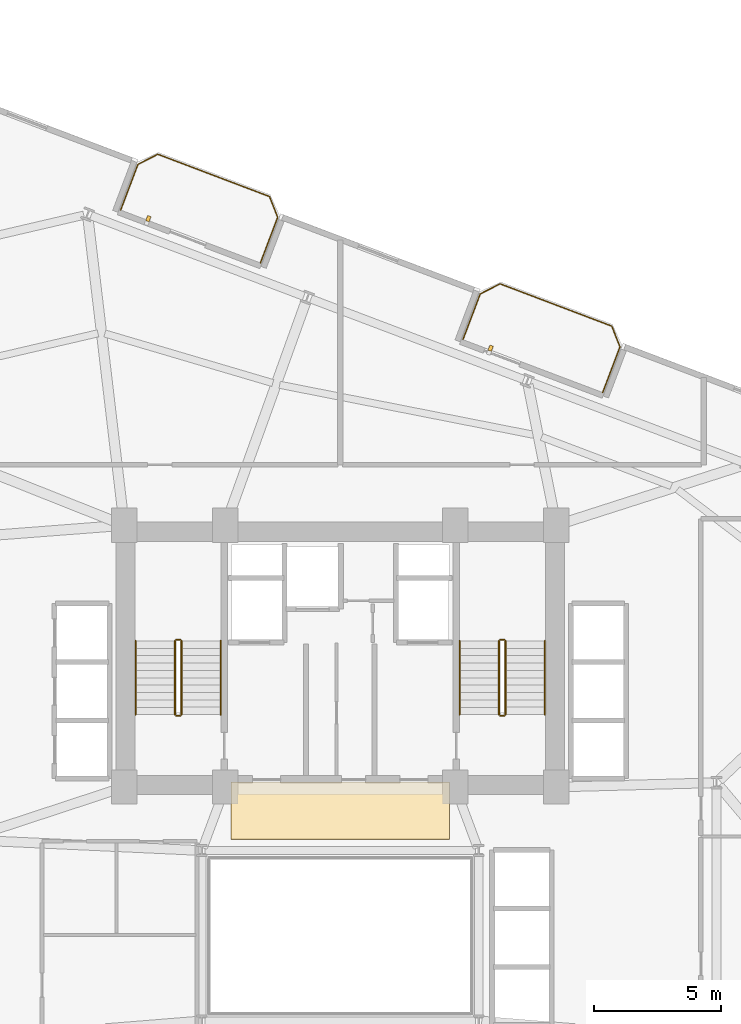
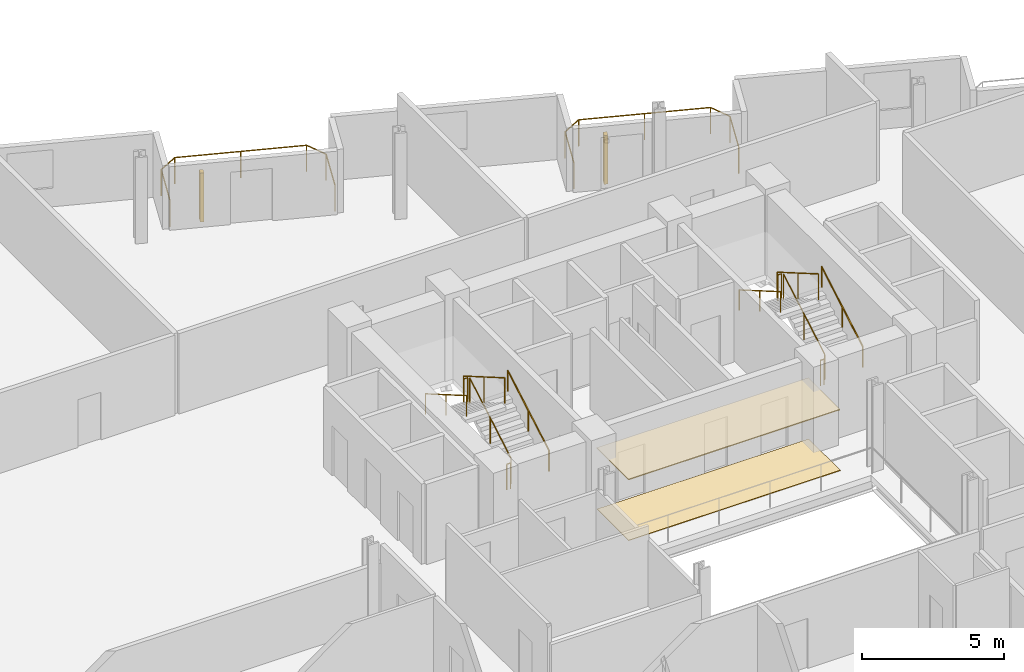
# One storey, part 24 of 25: 14 railings, 2 coverings, 2 shading devices.
"""IFC4 building model written with IfcOpenShell, lengths in metres."""

from ifc_helpers import new_model, si_unit, direction, frame, origin, origin_2d, place, context, subcontext, project, spatial, rectangle, circle, extrude, source, transform, mapped, material, layer, layer_set, type_object, element, save


model = new_model("IFC4")

# Units and contexts
model_context = context("Model", 3, precision=1e-05, world=origin(), true_north=direction((0.0, 1.0)))
body_context = subcontext(model_context, "Body", "Model", "MODEL_VIEW")
ifc_project = project(units=[si_unit("LENGTHUNIT", "METRE"), si_unit("AREAUNIT", "SQUARE_METRE"), si_unit("VOLUMEUNIT", "CUBIC_METRE"), si_unit("PLANEANGLEUNIT", "RADIAN"), si_unit("MASSUNIT", "GRAM", prefix="KILO")], contexts=[model_context])

# Site, building, storey
site_placement = place(None, origin())
site = spatial("IfcSite", under=ifc_project, at=site_placement, CompositionType="ELEMENT")
building_placement = place(site_placement, origin())
building = spatial("IfcBuilding", under=site, at=building_placement, Name="Varnelok Gate Tower", CompositionType="ELEMENT")
storey_placement = place(building_placement, frame((0.0, 0.0, 79.89990234375)))
storey = spatial("IfcBuildingStorey", under=building, at=storey_placement, Name="L19", CompositionType="ELEMENT", Elevation=79.89990234375)

# Railings
ifc_material_1 = material(Name="Low-E Laminated Double Glazing IGU", Category="glass")
railing_type_1 = type_object("IfcRailingType", Name="RL-BALC-1150", PredefinedType="BALUSTRADE", material=ifc_material_1)
railing_1_placement = place(storey_placement, frame((30.560302734375, 51.453125, 0.0)))
element("IfcRailing", 1, at=railing_1_placement, inside=storey, type_object=railing_type_1, Name="L19 North Terrace Balustrade 4", PredefinedType="BALUSTRADE", context=body_context, shape_type="SweptSolid", body=[
    extrude(circle(Radius=0.02392578125, at=origin_2d()), frame((0.0, 0.0, 1.1259765625), z_axis=(0.354006333352, 0.935243025073, 0.0), x_axis=(-0.935243025073, 0.354006333352, 0.0)), (0.0, 0.0, 1.0), 1.919921875),
    extrude(circle(Radius=0.02392578125, at=origin_2d()), frame((0.6796875, 1.795654296875, 1.1259765625), z_axis=(0.89078254773, 0.454429810487, 0.0), x_axis=(-0.454429810487, 0.89078254773, 0.0)), (0.0, 0.0, 1.0), 0.8779296875),
    extrude(circle(Radius=0.02392578125, at=origin_2d()), frame((1.461669921875, 2.194580078125, 1.1259765625), z_axis=(0.935223045203, -0.354059113314, 0.0), x_axis=(0.354059113314, 0.935223045203, 0.0)), (0.0, 0.0, 1.0), 4.699951171875),
    extrude(circle(Radius=0.02392578125, at=origin_2d()), frame((5.857177734375, 0.530517578125, 1.1259765625), z_axis=(0.366349384437, -0.930477365938, 0.0), x_axis=(0.930477365938, 0.366349384437, 0.0)), (0.0, 0.0, 1.0), 0.877685546875),
    extrude(circle(Radius=0.02392578125, at=origin_2d()), frame((6.1787109375, -0.2861328125, 1.1259765625), z_axis=(-0.354006333352, -0.935243025073, 0.0), x_axis=(0.935243025073, -0.354006333352, 0.0)), (0.0, 0.0, 1.0), 1.919921875),
    extrude(circle(Radius=0.02099609375, at=origin_2d()), origin(), (0.0, 0.0, 1.0), 1.101806640625),
    extrude(circle(Radius=0.02099609375, at=origin_2d()), frame((0.6796875, 1.795654296875, 0.0)), (0.0, 0.0, 1.0), 1.101806640625),
    extrude(circle(Radius=0.02099609375, at=origin_2d()), frame((1.461669921875, 2.194580078125, 0.0)), (0.0, 0.0, 1.0), 1.101806640625),
    extrude(circle(Radius=0.02099609375, at=origin_2d()), frame((3.659423828125, 1.362548828125, 0.0)), (0.0, 0.0, 1.0), 1.101806640625),
    extrude(circle(Radius=0.02099609375, at=origin_2d()), frame((5.857177734375, 0.530517578125, 0.0)), (0.0, 0.0, 1.0), 1.101806640625),
    extrude(circle(Radius=0.02099609375, at=origin_2d()), frame((6.1787109375, -0.2861328125, 0.0)), (0.0, 0.0, 1.0), 1.101806640625),
    extrude(circle(Radius=0.02099609375, at=origin_2d()), frame((5.4990234375, -2.081787109375, 0.0)), (0.0, 0.0, 1.0), 1.101806640625),
])
railing_2_placement = place(storey_placement, frame((44.02734375, 46.354736328125, 0.0)))
element("IfcRailing", 2, at=railing_2_placement, inside=storey, type_object=railing_type_1, Name="L19 North Terrace Balustrade 5", PredefinedType="BALUSTRADE", context=body_context, shape_type="SweptSolid", body=[
    extrude(circle(Radius=0.02392578125, at=origin_2d()), frame((0.0, 0.0, 1.1259765625), z_axis=(0.354117547856, 0.935200920819, 0.0), x_axis=(-0.935200920819, 0.354117547856, 0.0)), (0.0, 0.0, 1.0), 1.920166015625),
    extrude(circle(Radius=0.02392578125, at=origin_2d()), frame((0.679931640625, 1.795654296875, 1.1259765625), z_axis=(0.890725095116, 0.454542412686, 0.0), x_axis=(-0.454542412686, 0.890725095116, 0.0)), (0.0, 0.0, 1.0), 0.877685546875),
    extrude(circle(Radius=0.02392578125, at=origin_2d()), frame((1.461669921875, 2.194580078125, 1.1259765625), z_axis=(0.935223045203, -0.354059113314, 0.0), x_axis=(0.354059113314, 0.935223045203, 0.0)), (0.0, 0.0, 1.0), 4.699951171875),
    extrude(circle(Radius=0.02392578125, at=origin_2d()), frame((5.857177734375, 0.530517578125, 1.1259765625), z_axis=(0.366495340819, -0.93041988648, 0.0), x_axis=(0.93041988648, 0.366495340819, 0.0)), (0.0, 0.0, 1.0), 0.8779296875),
    extrude(circle(Radius=0.02392578125, at=origin_2d()), frame((6.178955078125, -0.286376953125, 1.1259765625), z_axis=(-0.354006333352, -0.935243025073, 0.0), x_axis=(0.935243025073, -0.354006333352, 0.0)), (0.0, 0.0, 1.0), 1.919921875),
    extrude(circle(Radius=0.02099609375, at=origin_2d()), origin(), (0.0, 0.0, 1.0), 1.101806640625),
    extrude(circle(Radius=0.02099609375, at=origin_2d()), frame((0.679931640625, 1.795654296875, 0.0)), (0.0, 0.0, 1.0), 1.101806640625),
    extrude(circle(Radius=0.02099609375, at=origin_2d()), frame((1.461669921875, 2.194580078125, 0.0)), (0.0, 0.0, 1.0), 1.101806640625),
    extrude(circle(Radius=0.02099609375, at=origin_2d()), frame((3.659423828125, 1.362548828125, 0.0)), (0.0, 0.0, 1.0), 1.101806640625),
    extrude(circle(Radius=0.02099609375, at=origin_2d()), frame((5.857177734375, 0.530517578125, 0.0)), (0.0, 0.0, 1.0), 1.101806640625),
    extrude(circle(Radius=0.02099609375, at=origin_2d()), frame((6.178955078125, -0.286376953125, 0.0)), (0.0, 0.0, 1.0), 1.101806640625),
    extrude(circle(Radius=0.02099609375, at=origin_2d()), frame((5.499267578125, -2.08203125, 0.0)), (0.0, 0.0, 1.0), 1.101806640625),
])
ifc_material_2 = material(Name="Brushed Stainless Steel AISI 316", Category="steel")
railing_type_2 = type_object("IfcRailingType", Name="RL-HANDRAIL-900", PredefinedType="HANDRAIL", material=ifc_material_2)
railing_3_placement = place(storey_placement, frame((34.5, 31.60009765625, 0.168212890625)))
element("IfcRailing", 3, at=railing_3_placement, inside=storey, type_object=railing_type_2, Name="L19 ST-1 stair handrail 1", PredefinedType="HANDRAIL", context=body_context, shape_type="SweptSolid", body=[
    extrude(circle(Radius=0.02392578125, at=origin_2d()), frame((0.0, 0.0, 0.8759765625), z_axis=(0.0, 0.865038774852, 0.501705010941), x_axis=(-1.0, 0.0, 0.0)), (0.0, 0.0, 1.0), 3.352294921875),
    extrude(circle(Radius=0.02099609375, at=origin_2d()), origin(), (0.0, 0.0, 1.0), 0.851806640625),
    extrude(circle(Radius=0.02099609375, at=origin_2d()), frame((0.0, 1.449951171875, 0.8408203125)), (0.0, 0.0, 1.0), 0.851806640625),
    extrude(circle(Radius=0.02099609375, at=origin_2d()), frame((0.0, 2.89990234375, 1.681884765625)), (0.0, 0.0, 1.0), 0.851806640625),
])
railing_4_placement = place(storey_placement, frame((31.14990234375, 34.5, 2.018310546875)))
element("IfcRailing", 4, at=railing_4_placement, inside=storey, type_object=railing_type_2, Name="L19 ST-1 stair handrail 2", PredefinedType="HANDRAIL", context=body_context, shape_type="SweptSolid", body=[
    extrude(circle(Radius=0.02392578125, at=origin_2d()), frame((0.0, 0.0, 0.8759765625), z_axis=(0.0, -0.865038774852, 0.501705010941), x_axis=(1.0, 0.0, 0.0)), (0.0, 0.0, 1.0), 3.352294921875),
    extrude(circle(Radius=0.02099609375, at=origin_2d()), origin(), (0.0, 0.0, 1.0), 0.851806640625),
    extrude(circle(Radius=0.02099609375, at=origin_2d()), frame((0.0, -1.449951171875, 0.8408203125)), (0.0, 0.0, 1.0), 0.851806640625),
    extrude(circle(Radius=0.02099609375, at=origin_2d()), frame((0.0, -2.89990234375, 1.681884765625)), (0.0, 0.0, 1.0), 0.851806640625),
])
railing_5_placement = place(storey_placement, frame((47.25, 31.60009765625, 0.168212890625)))
element("IfcRailing", 5, at=railing_5_placement, inside=storey, type_object=railing_type_2, Name="L19 ST-2 stair handrail 1", PredefinedType="HANDRAIL", context=body_context, shape_type="SweptSolid", body=[
    extrude(circle(Radius=0.02392578125, at=origin_2d()), frame((0.0, 0.0, 0.8759765625), z_axis=(0.0, 0.865038774852, 0.501705010941), x_axis=(-1.0, 0.0, 0.0)), (0.0, 0.0, 1.0), 3.352294921875),
    extrude(circle(Radius=0.02099609375, at=origin_2d()), origin(), (0.0, 0.0, 1.0), 0.851806640625),
    extrude(circle(Radius=0.02099609375, at=origin_2d()), frame((0.0, 1.449951171875, 0.8408203125)), (0.0, 0.0, 1.0), 0.851806640625),
    extrude(circle(Radius=0.02099609375, at=origin_2d()), frame((0.0, 2.89990234375, 1.681884765625)), (0.0, 0.0, 1.0), 0.851806640625),
])
railing_6_placement = place(storey_placement, frame((43.89990234375, 34.5, 2.018310546875)))
element("IfcRailing", 6, at=railing_6_placement, inside=storey, type_object=railing_type_2, Name="L19 ST-2 stair handrail 2", PredefinedType="HANDRAIL", context=body_context, shape_type="SweptSolid", body=[
    extrude(circle(Radius=0.02392578125, at=origin_2d()), frame((0.0, 0.0, 0.8759765625), z_axis=(0.0, -0.865038774852, 0.501705010941), x_axis=(1.0, 0.0, 0.0)), (0.0, 0.0, 1.0), 3.352294921875),
    extrude(circle(Radius=0.02099609375, at=origin_2d()), origin(), (0.0, 0.0, 1.0), 0.851806640625),
    extrude(circle(Radius=0.02099609375, at=origin_2d()), frame((0.0, -1.449951171875, 0.8408203125)), (0.0, 0.0, 1.0), 0.851806640625),
    extrude(circle(Radius=0.02099609375, at=origin_2d()), frame((0.0, -2.89990234375, 1.681884765625)), (0.0, 0.0, 1.0), 0.851806640625),
])
ifc_material_3 = material(Name="Galvanized Steel Grade S350GD", Category="steel")
railing_type_3 = type_object("IfcRailingType", Name="RL-STAIR-GUARD1120", PredefinedType="GUARDRAIL", material=ifc_material_3)
railing_7_placement = place(storey_placement, frame((32.949951171875, 31.60009765625, 0.168212890625)))
element("IfcRailing", 7, at=railing_7_placement, inside=storey, type_object=railing_type_3, Name="L19 ST-1 stair guard 1", PredefinedType="GUARDRAIL", context=body_context, shape_type="SweptSolid", body=[
    extrude(circle(Radius=0.02392578125, at=origin_2d()), frame((0.0, 0.0, 1.09619140625), z_axis=(0.0, 0.865038774852, 0.501705010941), x_axis=(-1.0, 0.0, 0.0)), (0.0, 0.0, 1.0), 3.352294921875),
    extrude(circle(Radius=0.02099609375, at=origin_2d()), origin(), (0.0, 0.0, 1.0), 1.072021484375),
    extrude(circle(Radius=0.02099609375, at=origin_2d()), frame((0.0, 1.449951171875, 0.8408203125)), (0.0, 0.0, 1.0), 1.072021484375),
    extrude(circle(Radius=0.02099609375, at=origin_2d()), frame((0.0, 2.89990234375, 1.681884765625)), (0.0, 0.0, 1.0), 1.072021484375),
])
railing_8_placement = place(storey_placement, frame((32.89990234375, 34.550048828125, 1.85009765625)))
element("IfcRailing", 8, at=railing_8_placement, inside=storey, type_object=railing_type_3, Name="L19 ST-1 stair guard 2", PredefinedType="GUARDRAIL", context=body_context, shape_type="SweptSolid", body=[
    extrude(circle(Radius=0.02392578125, at=origin_2d()), frame((0.0, 0.0, 1.09619140625), z_axis=(-1.0, 0.0, 0.0), x_axis=(0.0, -1.0, 0.0)), (0.0, 0.0, 1.0), 0.14990234375),
    extrude(circle(Radius=0.02099609375, at=origin_2d()), origin(), (0.0, 0.0, 1.0), 1.072021484375),
    extrude(circle(Radius=0.02099609375, at=origin_2d()), frame((-0.14990234375, 0.0, 0.0)), (0.0, 0.0, 1.0), 1.072021484375),
])
railing_9_placement = place(storey_placement, frame((32.699951171875, 34.5, 2.018310546875)))
element("IfcRailing", 9, at=railing_9_placement, inside=storey, type_object=railing_type_3, Name="L19 ST-1 stair guard 3", PredefinedType="GUARDRAIL", context=body_context, shape_type="SweptSolid", body=[
    extrude(circle(Radius=0.02392578125, at=origin_2d()), frame((0.0, 0.0, 1.09619140625), z_axis=(0.0, -0.865038774852, 0.501705010941), x_axis=(1.0, 0.0, 0.0)), (0.0, 0.0, 1.0), 3.352294921875),
    extrude(circle(Radius=0.02099609375, at=origin_2d()), origin(), (0.0, 0.0, 1.0), 1.072021484375),
    extrude(circle(Radius=0.02099609375, at=origin_2d()), frame((0.0, -1.449951171875, 0.8408203125)), (0.0, 0.0, 1.0), 1.072021484375),
    extrude(circle(Radius=0.02099609375, at=origin_2d()), frame((0.0, -2.89990234375, 1.681884765625)), (0.0, 0.0, 1.0), 1.072021484375),
])
railing_10_placement = place(storey_placement, frame((32.89990234375, 31.550048828125, 0.0)))
element("IfcRailing", 10, at=railing_10_placement, inside=storey, type_object=railing_type_3, Name="L19 ST-1 stair guard 4", PredefinedType="GUARDRAIL", context=body_context, shape_type="SweptSolid", body=[
    extrude(circle(Radius=0.02392578125, at=origin_2d()), frame((0.0, 0.0, 1.09619140625), z_axis=(-1.0, 0.0, 0.0), x_axis=(0.0, -1.0, 0.0)), (0.0, 0.0, 1.0), 0.14990234375),
    extrude(circle(Radius=0.02099609375, at=origin_2d()), origin(), (0.0, 0.0, 1.0), 1.072021484375),
    extrude(circle(Radius=0.02099609375, at=origin_2d()), frame((-0.14990234375, 0.0, 0.0)), (0.0, 0.0, 1.0), 1.072021484375),
])
railing_11_placement = place(storey_placement, frame((45.699951171875, 31.60009765625, 0.168212890625)))
element("IfcRailing", 11, at=railing_11_placement, inside=storey, type_object=railing_type_3, Name="L19 ST-2 stair guard 1", PredefinedType="GUARDRAIL", context=body_context, shape_type="SweptSolid", body=[
    extrude(circle(Radius=0.02392578125, at=origin_2d()), frame((0.0, 0.0, 1.09619140625), z_axis=(0.0, 0.865038774852, 0.501705010941), x_axis=(-1.0, 0.0, 0.0)), (0.0, 0.0, 1.0), 3.352294921875),
    extrude(circle(Radius=0.02099609375, at=origin_2d()), origin(), (0.0, 0.0, 1.0), 1.072021484375),
    extrude(circle(Radius=0.02099609375, at=origin_2d()), frame((0.0, 1.449951171875, 0.8408203125)), (0.0, 0.0, 1.0), 1.072021484375),
    extrude(circle(Radius=0.02099609375, at=origin_2d()), frame((0.0, 2.89990234375, 1.681884765625)), (0.0, 0.0, 1.0), 1.072021484375),
])
railing_12_placement = place(storey_placement, frame((45.64990234375, 34.550048828125, 1.85009765625)))
element("IfcRailing", 12, at=railing_12_placement, inside=storey, type_object=railing_type_3, Name="L19 ST-2 stair guard 2", PredefinedType="GUARDRAIL", context=body_context, shape_type="SweptSolid", body=[
    extrude(circle(Radius=0.02392578125, at=origin_2d()), frame((0.0, 0.0, 1.09619140625), z_axis=(-1.0, 0.0, 0.0), x_axis=(0.0, -1.0, 0.0)), (0.0, 0.0, 1.0), 0.14990234375),
    extrude(circle(Radius=0.02099609375, at=origin_2d()), origin(), (0.0, 0.0, 1.0), 1.072021484375),
    extrude(circle(Radius=0.02099609375, at=origin_2d()), frame((-0.14990234375, 0.0, 0.0)), (0.0, 0.0, 1.0), 1.072021484375),
])
railing_13_placement = place(storey_placement, frame((45.449951171875, 34.5, 2.018310546875)))
element("IfcRailing", 13, at=railing_13_placement, inside=storey, type_object=railing_type_3, Name="L19 ST-2 stair guard 3", PredefinedType="GUARDRAIL", context=body_context, shape_type="SweptSolid", body=[
    extrude(circle(Radius=0.02392578125, at=origin_2d()), frame((0.0, 0.0, 1.09619140625), z_axis=(0.0, -0.865038774852, 0.501705010941), x_axis=(1.0, 0.0, 0.0)), (0.0, 0.0, 1.0), 3.352294921875),
    extrude(circle(Radius=0.02099609375, at=origin_2d()), origin(), (0.0, 0.0, 1.0), 1.072021484375),
    extrude(circle(Radius=0.02099609375, at=origin_2d()), frame((0.0, -1.449951171875, 0.8408203125)), (0.0, 0.0, 1.0), 1.072021484375),
    extrude(circle(Radius=0.02099609375, at=origin_2d()), frame((0.0, -2.89990234375, 1.681884765625)), (0.0, 0.0, 1.0), 1.072021484375),
])
railing_14_placement = place(storey_placement, frame((45.64990234375, 31.550048828125, 0.0)))
element("IfcRailing", 14, at=railing_14_placement, inside=storey, type_object=railing_type_3, Name="L19 ST-2 stair guard 4", PredefinedType="GUARDRAIL", context=body_context, shape_type="SweptSolid", body=[
    extrude(circle(Radius=0.02392578125, at=origin_2d()), frame((0.0, 0.0, 1.09619140625), z_axis=(-1.0, 0.0, 0.0), x_axis=(0.0, -1.0, 0.0)), (0.0, 0.0, 1.0), 0.14990234375),
    extrude(circle(Radius=0.02099609375, at=origin_2d()), origin(), (0.0, 0.0, 1.0), 1.072021484375),
    extrude(circle(Radius=0.02099609375, at=origin_2d()), frame((-0.14990234375, 0.0, 0.0)), (0.0, 0.0, 1.0), 1.072021484375),
])

# Shading devices
ifc_material_4 = material(Name="Glazed Architectural Terracotta Ceramic", Category="masonry")
shading_device_type = type_object("IfcShadingDeviceType", Name="SHD-TERRA-FIN", PredefinedType="USERDEFINED", material=ifc_material_4)
shared_shape_1 = source(origin(), body_context, "Body", "SweptSolid", [
    extrude(rectangle(XDim=0.139892578125, YDim=0.219970703125, at=origin_2d()), origin(), (0.0, 0.0, 1.0), 2.10009765625),
])
for number, where, z_axis, x_axis, name in (
    (15, (31.651123046875, 51.114990234375, 0.10009765625), (0.0, 0.0, 1.0), (0.935221751401, -0.354062530786, 0.0), "L19 Terracotta Ceramic Baguette Sunscreen 4.1"),
    (16, (45.118408203125, 46.0166015625, 0.10009765625), (0.0, 0.0, 1.0), (0.935221751401, -0.354062530786, 0.0), "L19 Terracotta Ceramic Baguette Sunscreen 5.1"),
):
    element("IfcShadingDevice", number, at=place(storey_placement, frame(where, z_axis=z_axis, x_axis=x_axis)), inside=storey, type_object=shading_device_type, Name=name, ObjectType="BAGUETTE", PredefinedType="USERDEFINED", context=body_context, shape_type="MappedRepresentation", body=[
        mapped(shared_shape_1, transform((0.0, 0.0, 0.0), scale=1.0)),
    ])

# Coverings
ifc_material_5 = material(Name="Honed Travertine Stone Flooring", Category="masonry")
ifc_layer_1 = layer(ifc_material_5, 0.02490234375)
ifc_layer_set_1 = layer_set([ifc_layer_1], Name="Honed Travertine Stone Flooring")
covering_type_1 = type_object("IfcCoveringType", Name="COV-FLOR-STONE", PredefinedType="FLOORING", material=ifc_layer_set_1)
shared_shape_2 = source(origin(), body_context, "Body", "SweptSolid", [
    extrude(rectangle(XDim=8.60009765625, YDim=2.219970703125, at=origin_2d()), origin(), (0.0, 0.0, 1.0), 0.02490234375),
])
covering_1_placement = place(storey_placement, frame((39.199951171875, 27.800048828125, 0.000244140625), z_axis=(0.0, 0.0, 1.0), x_axis=(1.0, 0.0, 0.0)))
element("IfcCovering", 17, at=covering_1_placement, inside=storey, type_object=covering_type_1, Name="L19 Core Gallery Stone Flooring", PredefinedType="FLOORING", context=body_context, shape_type="MappedRepresentation", body=[
    mapped(shared_shape_2, transform((0.0, 0.0, 0.0), scale=1.0)),
])
ifc_material_6 = material(Name="Mineral Fiber Acoustic Ceiling Tile")
ifc_layer_2 = layer(ifc_material_6, 0.0400390625)
ifc_layer_set_2 = layer_set([ifc_layer_2], Name="Mineral Fiber Acoustic Ceiling Tile")
covering_type_2 = type_object("IfcCoveringType", Name="COV-CEIL-ACOUST", PredefinedType="CEILING", material=ifc_layer_set_2)
shared_shape_3 = source(origin(), body_context, "Body", "SweptSolid", [
    extrude(rectangle(XDim=8.60009765625, YDim=2.239990234375, at=origin_2d()), origin(), (0.0, 0.0, 1.0), 0.0400390625),
])
covering_2_placement = place(storey_placement, frame((39.199951171875, 27.820068359375, 2.60009765625), z_axis=(0.0, 0.0, 1.0), x_axis=(1.0, 0.0, 0.0)))
element("IfcCovering", 18, at=covering_2_placement, inside=storey, type_object=covering_type_2, Name="L19 Core Gallery Acoustic Ceiling", PredefinedType="CEILING", context=body_context, shape_type="MappedRepresentation", body=[
    mapped(shared_shape_3, transform((0.0, 0.0, 0.0), scale=1.0)),
])

save(model, "model.ifc")
